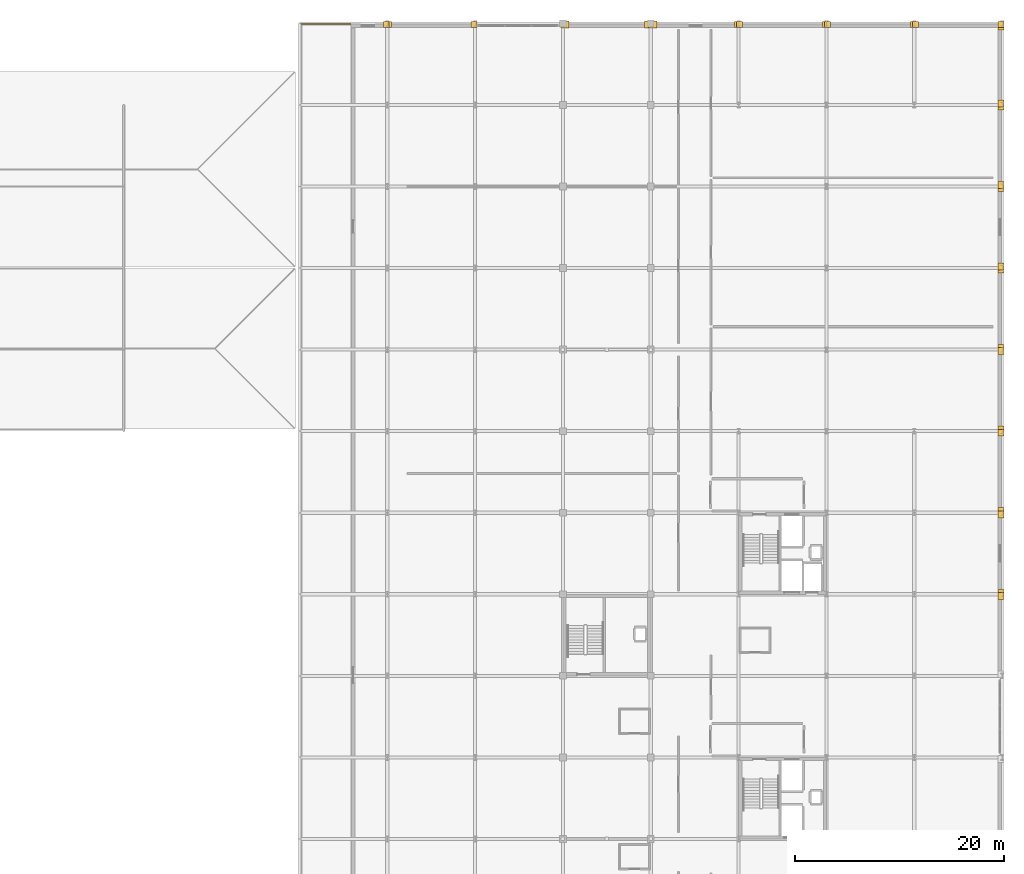
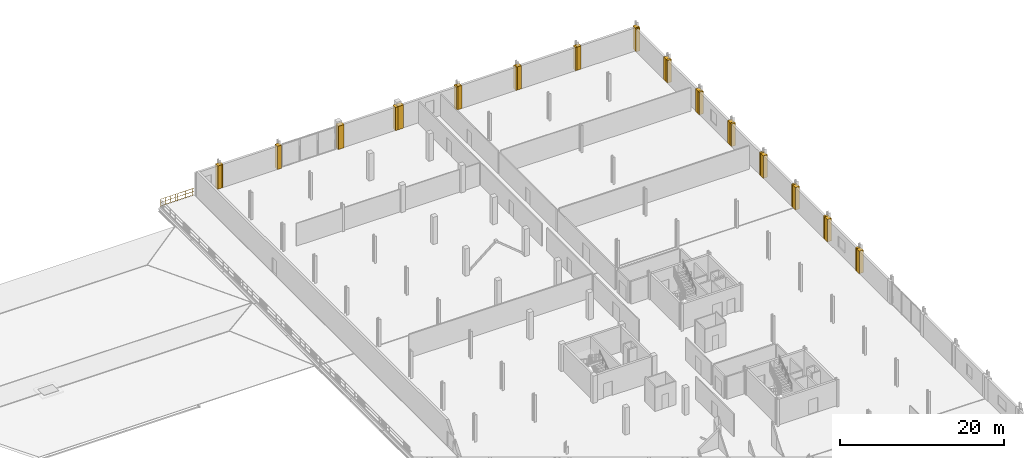
# One storey, part 77 of 77: 28 coverings, 1 railing.
"""IFC4 building model written with IfcOpenShell, lengths in metres."""

import ifcopenshell
import ifcopenshell.guid

model = None  # the IFC model being written
_history = None  # IfcOwnerHistory: only IFC2X3 demands one
_inside = {}  # id of a spatial element -> (the spatial element, [elements in it])
_under = {}  # id of a project, library or spatial element -> (it, [spatial elements below it])
_declared = {}  # id of a project -> (the project, [libraries it declares])
_typed = {}  # id of a type object -> (the type object, [elements of that type])
_made_of = {}  # id of a material, layer set ... -> (it, [elements and type objects made of it])


def new_model(schema):
    """Start an empty IFC model of exactly this schema.

    Asked for "IFC4X3", IfcOpenShell would pick the latest addendum, in which some entities
    have other attributes; the version numbers below select the first issue.
    IFC2X3 requires an IfcOwnerHistory on every rooted entity: one is made here for all.
    """
    global model, _history
    if schema == "IFC4X3":
        model = ifcopenshell.file(schema_version=(4, 3, 0, 0))
    else:
        model = ifcopenshell.file(schema=schema)
    _inside.clear()
    _under.clear()
    _declared.clear()
    _typed.clear()
    _made_of.clear()
    _history = None
    if model.schema == "IFC2X3":
        org = make("IfcOrganization", Name="unknown")
        user = make(
            "IfcPersonAndOrganization",
            ThePerson=make("IfcPerson", FamilyName="unknown"),
            TheOrganization=org,
        )
        app = make(
            "IfcApplication",
            ApplicationDeveloper=org,
            Version="unknown",
            ApplicationFullName="unknown",
            ApplicationIdentifier="unknown",
        )
        _history = make(
            "IfcOwnerHistory",
            OwningUser=user,
            OwningApplication=app,
            ChangeAction="ADDED",
            CreationDate=0,
        )
    return model


def make(cls, **values):
    """One entity of the class cls with the attributes given. An attribute that is None is left unset."""
    return model.create_entity(
        cls, **{name: value for name, value in values.items() if value is not None}
    )


def rooted(cls, **values):
    """An entity with a GlobalId (a new one), such as an element, a storey or a relation."""
    return make(cls, GlobalId=ifcopenshell.guid.new(), OwnerHistory=_history, **values)


def si_unit(unit_type, name, prefix=None):
    """IfcSIUnit, for example si_unit("LENGTHUNIT", "METRE", prefix="MILLI")."""
    return make("IfcSIUnit", UnitType=unit_type, Prefix=prefix, Name=name)


def assignment(units):
    """IfcUnitAssignment: the units of a project."""
    return None if units is None else make("IfcUnitAssignment", Units=units)


def point(xyz):
    """IfcCartesianPoint."""
    return None if xyz is None else make("IfcCartesianPoint", Coordinates=xyz)


def direction(xyz):
    """IfcDirection."""
    return None if xyz is None else make("IfcDirection", DirectionRatios=xyz)


def frame(location, z_axis=None, x_axis=None):
    """IfcAxis2Placement3D, a coordinate frame: its origin and axes. An axis left out is left unset."""
    return make(
        "IfcAxis2Placement3D",
        Location=point(location),
        Axis=direction(z_axis),
        RefDirection=direction(x_axis),
    )


def frame_2d(location, x_axis=None):
    """IfcAxis2Placement2D, a coordinate frame in the plane: its origin and x axis."""
    return make(
        "IfcAxis2Placement2D", Location=point(location), RefDirection=direction(x_axis)
    )


def origin():
    """The frame at (0, 0, 0) with its axes left unset."""
    return frame((0.0, 0.0, 0.0))


def origin_2d():
    """The frame at (0, 0) in the plane with its x axis left unset."""
    return frame_2d((0.0, 0.0))


def place(relative_to, where):
    """IfcLocalPlacement: puts the frame where relative to a parent placement (None: the world)."""
    return make(
        "IfcLocalPlacement", PlacementRelTo=relative_to, RelativePlacement=where
    )


def context(
    kind, dimensions, precision=None, world=None, true_north=None, identifier=None
):
    """IfcGeometricRepresentationContext, for example the 3D "Model" context."""
    return make(
        "IfcGeometricRepresentationContext",
        ContextIdentifier=identifier,
        ContextType=kind,
        CoordinateSpaceDimension=dimensions,
        Precision=precision,
        WorldCoordinateSystem=world,
        TrueNorth=true_north,
    )


def subcontext(parent, identifier, kind, view, scale=None):
    """IfcGeometricRepresentationSubContext, for example "Body" below "Model"."""
    return make(
        "IfcGeometricRepresentationSubContext",
        ContextIdentifier=identifier,
        ContextType=kind,
        ParentContext=parent,
        TargetScale=scale,
        TargetView=view,
    )


def project(units=None, contexts=None):
    """IfcProject with its units and contexts."""
    return rooted(
        "IfcProject",
        Name="project",
        RepresentationContexts=contexts,
        UnitsInContext=assignment(units),
    )


def spatial(cls, under=None, at=None, **own):
    """A site, building, storey or space (cls), placed at a placement, below another one or the project."""
    s = rooted(cls, ObjectPlacement=at, **own)
    if under is not None:
        _under.setdefault(under.id(), (under, []))[1].append(s)
    return s


def polyline(points):
    """IfcPolyline through the points."""
    return make("IfcPolyline", Points=[point(p) for p in points])


def profile(cls, at=None, kind="AREA", **sizes):
    """A parametric profile (cls). Its sizes go by their IFC names, for example OverallWidth=200.0."""
    return make(cls, ProfileType=kind, Position=at, **sizes)


def circle(**sizes):
    """IfcCircleProfileDef."""
    return profile("IfcCircleProfileDef", **sizes)


def outline(outer, holes=None, kind="AREA"):
    """IfcArbitraryClosedProfileDef: a profile drawn as a closed curve; with holes, ...WithVoids."""
    if holes is None:
        return make("IfcArbitraryClosedProfileDef", ProfileType=kind, OuterCurve=outer)
    return make(
        "IfcArbitraryProfileDefWithVoids",
        ProfileType=kind,
        OuterCurve=outer,
        InnerCurves=holes,
    )


def extrude(swept, where, along, depth):
    """IfcExtrudedAreaSolid: the profile swept, set in the frame where, extruded along a direction by depth."""
    return make(
        "IfcExtrudedAreaSolid",
        SweptArea=swept,
        Position=where,
        ExtrudedDirection=direction(along),
        Depth=depth,
    )


def shape(context_of_items, identifier, shape_type, items):
    """IfcShapeRepresentation: the items that make up one representation, for example the "Body"."""
    return make(
        "IfcShapeRepresentation",
        ContextOfItems=context_of_items,
        RepresentationIdentifier=identifier,
        RepresentationType=shape_type,
        Items=items,
    )


def material(Name=None, Category=None):
    """IfcMaterial."""
    return make("IfcMaterial", Name=Name, Category=Category)


def layer(
    of_material, thickness, ventilated=None, Name=None, Category=None, Priority=None
):
    """IfcMaterialLayer: one layer of a wall or slab, of a material (None: an air gap)."""
    return make(
        "IfcMaterialLayer",
        Material=of_material,
        LayerThickness=thickness,
        IsVentilated=ventilated,
        Name=Name,
        Category=Category,
        Priority=Priority,
    )


def layer_set(layers, Name=None):
    """IfcMaterialLayerSet."""
    return make("IfcMaterialLayerSet", MaterialLayers=layers, LayerSetName=Name)


def made_of(thing, what):
    """Note that an element or type object is made of a material, layer set ...; save() writes the relation."""
    if what is not None:
        _made_of.setdefault(what.id(), (what, []))[1].append(thing)
    return thing


def type_object(cls, material=None, **own):
    """A type object (cls), such as IfcWallType, which elements share."""
    return made_of(rooted(cls, **own), material)


def element(
    cls,
    number,
    at=None,
    inside=None,
    cuts=None,
    type_object=None,
    material=None,
    context=None,
    identifier="Body",
    shape_type=None,
    held_by="IfcProductDefinitionShape",
    body=None,
    shapes=None,
    **own,
):
    """One element of the class cls, such as IfcWall. Its Tag is "e" and its number.

    at: its placement. inside: the storey or other place that contains it. cuts: it is an
    opening in that element (IfcRelVoidsElement). A single representation is given by context,
    identifier, shape_type and body (its items); several are given by shapes. held_by: the class
    of the entity that holds the representations. save() writes the other relations.
    """
    e = rooted(cls, Tag="e%d" % number, ObjectPlacement=at, **own)
    if body is not None:
        shapes = [shape(context, identifier, shape_type, body)]
    if shapes is not None:
        e.Representation = make(held_by, Representations=shapes)
    if inside is not None:
        _inside.setdefault(inside.id(), (inside, []))[1].append(e)
    if cuts is not None:
        rooted(
            "IfcRelVoidsElement", RelatingBuildingElement=cuts, RelatedOpeningElement=e
        )
    if type_object is not None:
        _typed.setdefault(type_object.id(), (type_object, []))[1].append(e)
    return made_of(e, material)


def aggregate(whole, parts):
    """IfcRelAggregates: a whole, such as a stair, and the parts it consists of."""
    return rooted("IfcRelAggregates", RelatingObject=whole, RelatedObjects=parts)


def save(model, path):
    """Write the relations noted so far, then the file.

    IfcRelAggregates (storeys below a building ...), IfcRelContainedInSpatialStructure (elements
    in a storey), IfcRelDefinesByType, IfcRelAssociatesMaterial and IfcRelDeclares: one each for
    every whole, place, type object, material and project.
    """
    for whole, parts in _under.values():
        aggregate(whole, parts)
    for where, things in _inside.values():
        rooted(
            "IfcRelContainedInSpatialStructure",
            RelatedElements=things,
            RelatingStructure=where,
        )
    for kind, things in _typed.values():
        rooted("IfcRelDefinesByType", RelatedObjects=things, RelatingType=kind)
    for what, things in _made_of.values():
        rooted("IfcRelAssociatesMaterial", RelatedObjects=things, RelatingMaterial=what)
    for by, libraries in _declared.values():
        rooted("IfcRelDeclares", RelatingContext=by, RelatedDefinitions=libraries)
    model.write(path)


model = new_model("IFC4")

# Units and contexts
model_context = context("Model", 3, precision=1e-05, world=origin(), true_north=direction((0.0, 1.0)))
body_context = subcontext(model_context, "Body", "Model", "MODEL_VIEW")
ifc_project = project(units=[si_unit("LENGTHUNIT", "METRE"), si_unit("AREAUNIT", "SQUARE_METRE"), si_unit("VOLUMEUNIT", "CUBIC_METRE"), si_unit("PLANEANGLEUNIT", "RADIAN"), si_unit("MASSUNIT", "GRAM", prefix="KILO")], contexts=[model_context])

# Site, building, storey
site_placement = place(None, origin())
site = spatial("IfcSite", under=ifc_project, at=site_placement, CompositionType="ELEMENT")
building_placement = place(site_placement, origin())
building = spatial("IfcBuilding", under=site, at=building_placement, Name="Nabrawat Pavilion Hospital", CompositionType="ELEMENT")
storey_placement = place(building_placement, frame((0.0, 0.0, 14.85009765625)))
storey = spatial("IfcBuildingStorey", under=building, at=storey_placement, Name="L03", CompositionType="ELEMENT", Elevation=14.85009765625)

# Coverings
ifc_material_1 = material(Name="Precast concrete C40/50", Category="concrete")
ifc_layer_1 = layer(ifc_material_1, 0.360107421875, Name="Precast concrete C40/50")
ifc_layer_set_1 = layer_set([ifc_layer_1], Name="Precast concrete C40/50")
covering_type = type_object("IfcCoveringType", Name="Architectural Precast Column-Jamb Closure Reveal", PredefinedType="CLADDING", material=ifc_layer_set_1)
covering_1_placement = place(storey_placement, origin())
element("IfcCovering", 1, at=covering_1_placement, inside=storey, type_object=covering_type, Name="L03 Precast Facade Column-Jamb Weatherseal Closure 0484", PredefinedType="CLADDING", context=body_context, shape_type="SweptSolid", body=[
    extrude(outline(polyline([(134.580078125, 124.39990234375), (134.580078125, 124.97998046875), (134.02001953125, 124.97998046875), (134.02001953125, 124.39990234375), (134.580078125, 124.39990234375)])), origin(), (0.0, 0.0, 1.0), 3.449951171875),
])
covering_2_placement = place(storey_placement, origin())
element("IfcCovering", 2, at=covering_2_placement, inside=storey, type_object=covering_type, Name="L03 Precast Facade Column-Jamb Weatherseal Closure 0485", PredefinedType="CLADDING", context=body_context, shape_type="SweptSolid", body=[
    extrude(outline(polyline([(134.780029296875, 124.39990234375), (134.780029296875, 124.97998046875), (134.219970703125, 124.97998046875), (134.219970703125, 124.39990234375), (134.780029296875, 124.39990234375)])), origin(), (0.0, 0.0, 1.0), 3.449951171875),
])
covering_3_placement = place(storey_placement, origin())
element("IfcCovering", 3, at=covering_3_placement, inside=storey, type_object=covering_type, Name="L03 Precast Facade Column-Jamb Weatherseal Closure 0486", PredefinedType="CLADDING", context=body_context, shape_type="SweptSolid", body=[
    extrude(outline(polyline([(142.97998046875, 124.39990234375), (142.97998046875, 124.97998046875), (142.419921875, 124.97998046875), (142.419921875, 124.39990234375), (142.97998046875, 124.39990234375)])), origin(), (0.0, 0.0, 1.0), 3.449951171875),
])
covering_4_placement = place(storey_placement, origin())
element("IfcCovering", 4, at=covering_4_placement, inside=storey, type_object=covering_type, Name="L03 Precast Facade Column-Jamb Weatherseal Closure 0487", PredefinedType="CLADDING", context=body_context, shape_type="SweptSolid", body=[
    extrude(outline(polyline([(151.7861328125, 124.36865234375), (151.7861328125, 125.01123046875), (150.98876953125, 125.01123046875), (150.98876953125, 124.36865234375), (151.7861328125, 124.36865234375)])), origin(), (0.0, 0.0, 1.0), 3.449951171875),
])
covering_5_placement = place(storey_placement, origin())
element("IfcCovering", 5, at=covering_5_placement, inside=storey, type_object=covering_type, Name="L03 Precast Facade Column-Jamb Weatherseal Closure 0488", PredefinedType="CLADDING", context=body_context, shape_type="SweptSolid", body=[
    extrude(outline(polyline([(159.811279296875, 124.36865234375), (159.811279296875, 125.01123046875), (159.013671875, 125.01123046875), (159.013671875, 124.36865234375), (159.811279296875, 124.36865234375)])), origin(), (0.0, 0.0, 1.0), 3.449951171875),
])
covering_6_placement = place(storey_placement, origin())
element("IfcCovering", 6, at=covering_6_placement, inside=storey, type_object=covering_type, Name="L03 Precast Facade Column-Jamb Weatherseal Closure 0489", PredefinedType="CLADDING", context=body_context, shape_type="SweptSolid", body=[
    extrude(outline(polyline([(160.186279296875, 124.36865234375), (160.186279296875, 125.01123046875), (159.388671875, 125.01123046875), (159.388671875, 124.36865234375), (160.186279296875, 124.36865234375)])), origin(), (0.0, 0.0, 1.0), 3.449951171875),
])
covering_7_placement = place(storey_placement, origin())
element("IfcCovering", 7, at=covering_7_placement, inside=storey, type_object=covering_type, Name="L03 Precast Facade Column-Jamb Weatherseal Closure 0490", PredefinedType="CLADDING", context=body_context, shape_type="SweptSolid", body=[
    extrude(outline(polyline([(168.179931640625, 124.39990234375), (168.179931640625, 124.97998046875), (167.6201171875, 124.97998046875), (167.6201171875, 124.39990234375), (168.179931640625, 124.39990234375)])), origin(), (0.0, 0.0, 1.0), 3.449951171875),
])
covering_8_placement = place(storey_placement, origin())
element("IfcCovering", 8, at=covering_8_placement, inside=storey, type_object=covering_type, Name="L03 Precast Facade Column-Jamb Weatherseal Closure 0491", PredefinedType="CLADDING", context=body_context, shape_type="SweptSolid", body=[
    extrude(outline(polyline([(168.3798828125, 124.39990234375), (168.3798828125, 124.97998046875), (167.820068359375, 124.97998046875), (167.820068359375, 124.39990234375), (168.3798828125, 124.39990234375)])), origin(), (0.0, 0.0, 1.0), 3.449951171875),
])
covering_9_placement = place(storey_placement, origin())
element("IfcCovering", 9, at=covering_9_placement, inside=storey, type_object=covering_type, Name="L03 Precast Facade Column-Jamb Weatherseal Closure 0492", PredefinedType="CLADDING", context=body_context, shape_type="SweptSolid", body=[
    extrude(outline(polyline([(176.580078125, 124.39990234375), (176.580078125, 124.97998046875), (176.02001953125, 124.97998046875), (176.02001953125, 124.39990234375), (176.580078125, 124.39990234375)])), origin(), (0.0, 0.0, 1.0), 3.449951171875),
])
covering_10_placement = place(storey_placement, origin())
element("IfcCovering", 10, at=covering_10_placement, inside=storey, type_object=covering_type, Name="L03 Precast Facade Column-Jamb Weatherseal Closure 0493", PredefinedType="CLADDING", context=body_context, shape_type="SweptSolid", body=[
    extrude(outline(polyline([(176.780029296875, 124.39990234375), (176.780029296875, 124.97998046875), (176.219970703125, 124.97998046875), (176.219970703125, 124.39990234375), (176.780029296875, 124.39990234375)])), origin(), (0.0, 0.0, 1.0), 3.449951171875),
])
covering_11_placement = place(storey_placement, origin())
element("IfcCovering", 11, at=covering_11_placement, inside=storey, type_object=covering_type, Name="L03 Precast Facade Column-Jamb Weatherseal Closure 0494", PredefinedType="CLADDING", context=body_context, shape_type="SweptSolid", body=[
    extrude(outline(polyline([(184.97998046875, 124.39990234375), (184.97998046875, 124.97998046875), (184.419921875, 124.97998046875), (184.419921875, 124.39990234375), (184.97998046875, 124.39990234375)])), origin(), (0.0, 0.0, 1.0), 3.449951171875),
])
covering_12_placement = place(storey_placement, origin())
element("IfcCovering", 12, at=covering_12_placement, inside=storey, type_object=covering_type, Name="L03 Precast Facade Column-Jamb Weatherseal Closure 0495", PredefinedType="CLADDING", context=body_context, shape_type="SweptSolid", body=[
    extrude(outline(polyline([(185.179931640625, 124.39990234375), (185.179931640625, 124.97998046875), (184.6201171875, 124.97998046875), (184.6201171875, 124.39990234375), (185.179931640625, 124.39990234375)])), origin(), (0.0, 0.0, 1.0), 3.449951171875),
])
covering_13_placement = place(storey_placement, origin())
element("IfcCovering", 13, at=covering_13_placement, inside=storey, type_object=covering_type, Name="L03 Precast Facade Column-Jamb Weatherseal Closure 0496", PredefinedType="CLADDING", context=body_context, shape_type="SweptSolid", body=[
    extrude(outline(polyline([(193.3798828125, 124.39990234375), (193.3798828125, 124.97998046875), (192.820068359375, 124.97998046875), (192.820068359375, 124.39990234375), (193.3798828125, 124.39990234375)])), origin(), (0.0, 0.0, 1.0), 3.449951171875),
])
covering_14_placement = place(storey_placement, origin())
element("IfcCovering", 14, at=covering_14_placement, inside=storey, type_object=covering_type, Name="L03 Precast Facade Column-Jamb Weatherseal Closure 0510", PredefinedType="CLADDING", context=body_context, shape_type="SweptSolid", body=[
    extrude(outline(polyline([(193.3798828125, 69.719970703125), (193.3798828125, 70.3798828125), (192.800048828125, 70.3798828125), (192.800048828125, 69.719970703125), (193.3798828125, 69.719970703125)])), origin(), (0.0, 0.0, 1.0), 3.349853515625),
])
covering_15_placement = place(storey_placement, origin())
element("IfcCovering", 15, at=covering_15_placement, inside=storey, type_object=covering_type, Name="L03 Precast Facade Column-Jamb Weatherseal Closure 0511", PredefinedType="CLADDING", context=body_context, shape_type="SweptSolid", body=[
    extrude(outline(polyline([(193.3798828125, 70.02001953125), (193.3798828125, 70.679931640625), (192.800048828125, 70.679931640625), (192.800048828125, 70.02001953125), (193.3798828125, 70.02001953125)])), origin(), (0.0, 0.0, 1.0), 3.349853515625),
])
covering_16_placement = place(storey_placement, origin())
element("IfcCovering", 16, at=covering_16_placement, inside=storey, type_object=covering_type, Name="L03 Precast Facade Column-Jamb Weatherseal Closure 0512", PredefinedType="CLADDING", context=body_context, shape_type="SweptSolid", body=[
    extrude(outline(polyline([(193.3798828125, 77.52001953125), (193.3798828125, 78.179931640625), (192.800048828125, 78.179931640625), (192.800048828125, 77.52001953125), (193.3798828125, 77.52001953125)])), origin(), (0.0, 0.0, 1.0), 3.349853515625),
])
covering_17_placement = place(storey_placement, origin())
element("IfcCovering", 17, at=covering_17_placement, inside=storey, type_object=covering_type, Name="L03 Precast Facade Column-Jamb Weatherseal Closure 0513", PredefinedType="CLADDING", context=body_context, shape_type="SweptSolid", body=[
    extrude(outline(polyline([(193.3798828125, 77.820068359375), (193.3798828125, 78.47998046875), (192.800048828125, 78.47998046875), (192.800048828125, 77.820068359375), (193.3798828125, 77.820068359375)])), origin(), (0.0, 0.0, 1.0), 3.349853515625),
])
covering_18_placement = place(storey_placement, origin())
element("IfcCovering", 18, at=covering_18_placement, inside=storey, type_object=covering_type, Name="L03 Precast Facade Column-Jamb Weatherseal Closure 0514", PredefinedType="CLADDING", context=body_context, shape_type="SweptSolid", body=[
    extrude(outline(polyline([(193.3798828125, 85.320068359375), (193.3798828125, 85.97998046875), (192.800048828125, 85.97998046875), (192.800048828125, 85.320068359375), (193.3798828125, 85.320068359375)])), origin(), (0.0, 0.0, 1.0), 3.349853515625),
])
covering_19_placement = place(storey_placement, origin())
element("IfcCovering", 19, at=covering_19_placement, inside=storey, type_object=covering_type, Name="L03 Precast Facade Column-Jamb Weatherseal Closure 0515", PredefinedType="CLADDING", context=body_context, shape_type="SweptSolid", body=[
    extrude(outline(polyline([(193.3798828125, 85.6201171875), (193.3798828125, 86.280029296875), (192.800048828125, 86.280029296875), (192.800048828125, 85.6201171875), (193.3798828125, 85.6201171875)])), origin(), (0.0, 0.0, 1.0), 3.349853515625),
])
covering_20_placement = place(storey_placement, origin())
element("IfcCovering", 20, at=covering_20_placement, inside=storey, type_object=covering_type, Name="L03 Precast Facade Column-Jamb Weatherseal Closure 0516", PredefinedType="CLADDING", context=body_context, shape_type="SweptSolid", body=[
    extrude(outline(polyline([(193.3798828125, 93.1201171875), (193.3798828125, 93.780029296875), (192.800048828125, 93.780029296875), (192.800048828125, 93.1201171875), (193.3798828125, 93.1201171875)])), origin(), (0.0, 0.0, 1.0), 3.349853515625),
])
covering_21_placement = place(storey_placement, origin())
element("IfcCovering", 21, at=covering_21_placement, inside=storey, type_object=covering_type, Name="L03 Precast Facade Column-Jamb Weatherseal Closure 0517", PredefinedType="CLADDING", context=body_context, shape_type="SweptSolid", body=[
    extrude(outline(polyline([(193.3798828125, 93.419921875), (193.3798828125, 94.080078125), (192.800048828125, 94.080078125), (192.800048828125, 93.419921875), (193.3798828125, 93.419921875)])), origin(), (0.0, 0.0, 1.0), 3.349853515625),
])
covering_22_placement = place(storey_placement, origin())
element("IfcCovering", 22, at=covering_22_placement, inside=storey, type_object=covering_type, Name="L03 Precast Facade Column-Jamb Weatherseal Closure 0518", PredefinedType="CLADDING", context=body_context, shape_type="SweptSolid", body=[
    extrude(outline(polyline([(193.3798828125, 100.919921875), (193.3798828125, 101.580078125), (192.800048828125, 101.580078125), (192.800048828125, 100.919921875), (193.3798828125, 100.919921875)])), origin(), (0.0, 0.0, 1.0), 3.349853515625),
])
covering_23_placement = place(storey_placement, origin())
element("IfcCovering", 23, at=covering_23_placement, inside=storey, type_object=covering_type, Name="L03 Precast Facade Column-Jamb Weatherseal Closure 0519", PredefinedType="CLADDING", context=body_context, shape_type="SweptSolid", body=[
    extrude(outline(polyline([(193.3798828125, 101.219970703125), (193.3798828125, 101.8798828125), (192.800048828125, 101.8798828125), (192.800048828125, 101.219970703125), (193.3798828125, 101.219970703125)])), origin(), (0.0, 0.0, 1.0), 3.349853515625),
])
covering_24_placement = place(storey_placement, origin())
element("IfcCovering", 24, at=covering_24_placement, inside=storey, type_object=covering_type, Name="L03 Precast Facade Column-Jamb Weatherseal Closure 0520", PredefinedType="CLADDING", context=body_context, shape_type="SweptSolid", body=[
    extrude(outline(polyline([(193.3798828125, 108.719970703125), (193.3798828125, 109.3798828125), (192.800048828125, 109.3798828125), (192.800048828125, 108.719970703125), (193.3798828125, 108.719970703125)])), origin(), (0.0, 0.0, 1.0), 3.349853515625),
])
covering_25_placement = place(storey_placement, origin())
element("IfcCovering", 25, at=covering_25_placement, inside=storey, type_object=covering_type, Name="L03 Precast Facade Column-Jamb Weatherseal Closure 0521", PredefinedType="CLADDING", context=body_context, shape_type="SweptSolid", body=[
    extrude(outline(polyline([(193.3798828125, 109.02001953125), (193.3798828125, 109.679931640625), (192.800048828125, 109.679931640625), (192.800048828125, 109.02001953125), (193.3798828125, 109.02001953125)])), origin(), (0.0, 0.0, 1.0), 3.349853515625),
])
covering_26_placement = place(storey_placement, origin())
element("IfcCovering", 26, at=covering_26_placement, inside=storey, type_object=covering_type, Name="L03 Precast Facade Column-Jamb Weatherseal Closure 0522", PredefinedType="CLADDING", context=body_context, shape_type="SweptSolid", body=[
    extrude(outline(polyline([(193.3798828125, 116.52001953125), (193.3798828125, 117.179931640625), (192.800048828125, 117.179931640625), (192.800048828125, 116.52001953125), (193.3798828125, 116.52001953125)])), origin(), (0.0, 0.0, 1.0), 3.349853515625),
])
covering_27_placement = place(storey_placement, origin())
element("IfcCovering", 27, at=covering_27_placement, inside=storey, type_object=covering_type, Name="L03 Precast Facade Column-Jamb Weatherseal Closure 0523", PredefinedType="CLADDING", context=body_context, shape_type="SweptSolid", body=[
    extrude(outline(polyline([(193.3798828125, 116.820068359375), (193.3798828125, 117.47998046875), (192.800048828125, 117.47998046875), (192.800048828125, 116.820068359375), (193.3798828125, 116.820068359375)])), origin(), (0.0, 0.0, 1.0), 3.349853515625),
])
covering_28_placement = place(storey_placement, origin())
element("IfcCovering", 28, at=covering_28_placement, inside=storey, type_object=covering_type, Name="L03 Precast Facade Column-Jamb Weatherseal Closure 0524", PredefinedType="CLADDING", context=body_context, shape_type="SweptSolid", body=[
    extrude(outline(polyline([(193.3798828125, 124.179931640625), (193.3798828125, 124.97998046875), (192.800048828125, 124.97998046875), (192.800048828125, 124.179931640625), (193.3798828125, 124.179931640625)])), origin(), (0.0, 0.0, 1.0), 3.349853515625),
])

# Railing
ifc_material_2 = material(Name="Stainless Steel 316", Category="steel")
ifc_layer_2 = layer(ifc_material_2, 0.070068359375, Name="Stainless Steel 316")
ifc_layer_set_2 = layer_set([ifc_layer_2], Name="Stainless Steel 316")
railing_type = type_object("IfcRailingType", Name="Exterior Clinical Terrace Safety Guardrail 1100", PredefinedType="GUARDRAIL", material=ifc_layer_set_2)
railing_placement = place(storey_placement, frame((126.179931640625, 124.739990234375, 0.0)))
element("IfcRailing", 29, at=railing_placement, inside=storey, type_object=railing_type, Name="L03 Terrace Edge Safety Guardrail T_L03_WARD_STEP1_N North", PredefinedType="GUARDRAIL", context=body_context, shape_type="SweptSolid", body=[
    extrude(circle(Radius=0.02392578125, at=origin_2d()), frame((0.0, 0.0, 1.076171875), z_axis=(1.0, 0.0, 0.0), x_axis=(0.0, 1.0, 0.0)), (0.0, 0.0, 1.0), 4.68017578125),
    extrude(circle(Radius=0.02392578125, at=origin_2d()), frame((0.0, 0.0, 0.10009765625), z_axis=(1.0, 0.0, 0.0), x_axis=(0.0, 1.0, 0.0)), (0.0, 0.0, 1.0), 4.68017578125),
    extrude(circle(Radius=0.02392578125, at=origin_2d()), frame((0.0, 0.0, 0.60498046875), z_axis=(1.0, 0.0, 0.0), x_axis=(0.0, 1.0, 0.0)), (0.0, 0.0, 1.0), 4.68017578125),
    extrude(circle(Radius=0.008056640625, at=origin_2d()), frame((0.23388671875, 0.0, 0.10009765625)), (0.0, 0.0, 1.0), 0.951904296875),
    extrude(circle(Radius=0.008056640625, at=origin_2d()), frame((0.468017578125, 0.0, 0.10009765625)), (0.0, 0.0, 1.0), 0.951904296875),
    extrude(circle(Radius=0.008056640625, at=origin_2d()), frame((0.7021484375, 0.0, 0.10009765625)), (0.0, 0.0, 1.0), 0.951904296875),
    extrude(circle(Radius=0.008056640625, at=origin_2d()), frame((0.93603515625, 0.0, 0.10009765625)), (0.0, 0.0, 1.0), 0.951904296875),
    extrude(circle(Radius=0.008056640625, at=origin_2d()), frame((1.404052734375, 0.0, 0.10009765625)), (0.0, 0.0, 1.0), 0.951904296875),
    extrude(circle(Radius=0.008056640625, at=origin_2d()), frame((1.63818359375, 0.0, 0.10009765625)), (0.0, 0.0, 1.0), 0.951904296875),
    extrude(circle(Radius=0.008056640625, at=origin_2d()), frame((1.8720703125, 0.0, 0.10009765625)), (0.0, 0.0, 1.0), 0.951904296875),
    extrude(circle(Radius=0.008056640625, at=origin_2d()), frame((2.10595703125, 0.0, 0.10009765625)), (0.0, 0.0, 1.0), 0.951904296875),
    extrude(circle(Radius=0.008056640625, at=origin_2d()), frame((2.57421875, 0.0, 0.10009765625)), (0.0, 0.0, 1.0), 0.951904296875),
    extrude(circle(Radius=0.008056640625, at=origin_2d()), frame((2.80810546875, 0.0, 0.10009765625)), (0.0, 0.0, 1.0), 0.951904296875),
    extrude(circle(Radius=0.008056640625, at=origin_2d()), frame((3.0419921875, 0.0, 0.10009765625)), (0.0, 0.0, 1.0), 0.951904296875),
    extrude(circle(Radius=0.008056640625, at=origin_2d()), frame((3.276123046875, 0.0, 0.10009765625)), (0.0, 0.0, 1.0), 0.951904296875),
    extrude(circle(Radius=0.008056640625, at=origin_2d()), frame((3.744140625, 0.0, 0.10009765625)), (0.0, 0.0, 1.0), 0.951904296875),
    extrude(circle(Radius=0.008056640625, at=origin_2d()), frame((3.97802734375, 0.0, 0.10009765625)), (0.0, 0.0, 1.0), 0.951904296875),
    extrude(circle(Radius=0.008056640625, at=origin_2d()), frame((4.212158203125, 0.0, 0.10009765625)), (0.0, 0.0, 1.0), 0.951904296875),
    extrude(circle(Radius=0.008056640625, at=origin_2d()), frame((4.4462890625, 0.0, 0.10009765625)), (0.0, 0.0, 1.0), 0.951904296875),
    extrude(circle(Radius=0.02099609375, at=origin_2d()), origin(), (0.0, 0.0, 1.0), 1.052001953125),
    extrude(circle(Radius=0.02099609375, at=origin_2d()), frame((1.169921875, 0.0, 0.0)), (0.0, 0.0, 1.0), 1.052001953125),
    extrude(circle(Radius=0.02099609375, at=origin_2d()), frame((2.340087890625, 0.0, 0.0)), (0.0, 0.0, 1.0), 1.052001953125),
    extrude(circle(Radius=0.02099609375, at=origin_2d()), frame((3.51025390625, 0.0, 0.0)), (0.0, 0.0, 1.0), 1.052001953125),
    extrude(circle(Radius=0.02099609375, at=origin_2d()), frame((4.68017578125, 0.0, 0.0)), (0.0, 0.0, 1.0), 1.052001953125),
])

save(model, "model.ifc")
